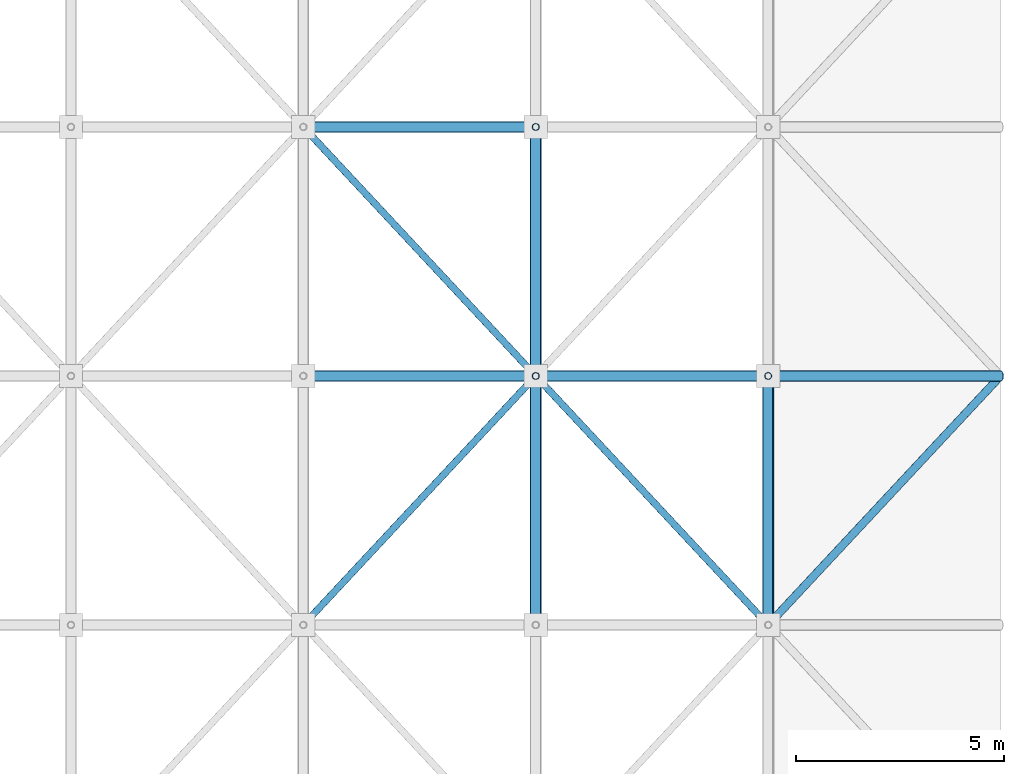
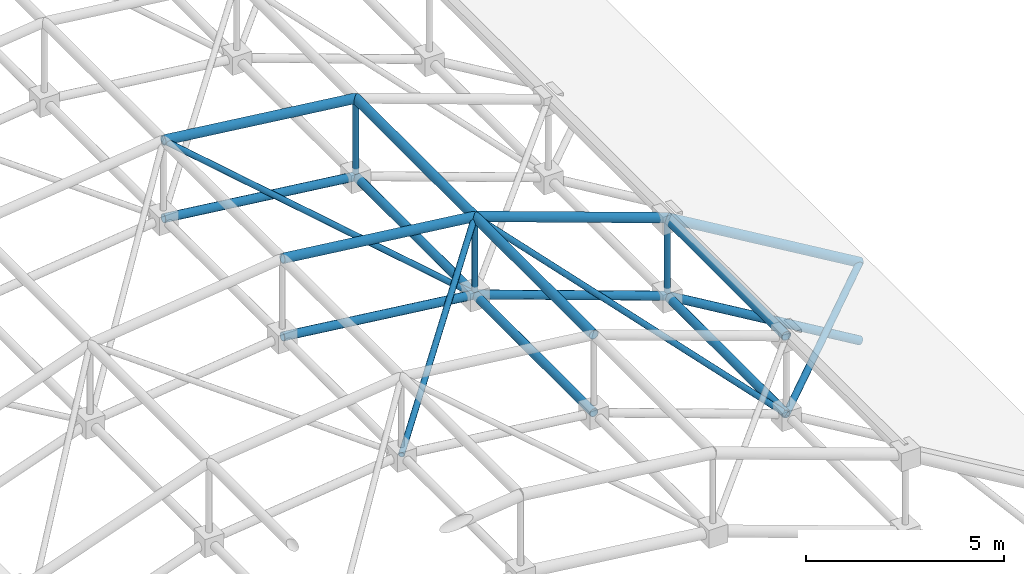
# One storey, part 89 of 140: 21 members.
"""IFC4 building model written with IfcOpenShell, lengths in metres."""

from ifc_helpers import new_model, si_unit, direction, frame, origin, origin_2d, place, context, subcontext, project, spatial, hollow_circle, extrude, material, material_profile, profile_set, type_object, element, save


model = new_model("IFC4")

# Units and contexts
model_context = context("Model", 3, precision=1e-05, world=origin(), true_north=direction((0.0, 1.0)))
body_context = subcontext(model_context, "Body", "Model", "MODEL_VIEW")
ifc_project = project(units=[si_unit("LENGTHUNIT", "METRE"), si_unit("AREAUNIT", "SQUARE_METRE"), si_unit("VOLUMEUNIT", "CUBIC_METRE"), si_unit("PLANEANGLEUNIT", "RADIAN"), si_unit("MASSUNIT", "GRAM", prefix="KILO")], contexts=[model_context])

# Site, building, storey
site_placement = place(None, origin())
site = spatial("IfcSite", under=ifc_project, at=site_placement, CompositionType="ELEMENT")
building_placement = place(site_placement, origin())
building = spatial("IfcBuilding", under=site, at=building_placement, Name="Trelvath General Hospital", CompositionType="ELEMENT")
storey_placement = place(building_placement, frame((0.0, 0.0, 16.199951171875)))
storey = spatial("IfcBuildingStorey", under=building, at=storey_placement, Name="L04", CompositionType="ELEMENT", Elevation=16.199951171875)

# Members
ifc_material_1 = material(Name="Steel S355", Category="steel")
ifc_material_profile_1 = material_profile(ifc_material_1, hollow_circle(Radius=0.122314453125, WallThickness=0.010009765625, at=origin_2d()), Name="CHS244.5x10.0")
ifc_profile_set_1 = profile_set([ifc_material_profile_1], Name="Steel S355")
member_type_1 = type_object("IfcMemberType", Name="SpaceFrameBottomChord CHS244", PredefinedType="CHORD", material=ifc_profile_set_1)
for number, where, z_axis, x_axis, name in (
    (1, (159.60009765625, 37.199951171875, 2.699951171875), (0.992991298752, 0.0, -0.118187480734), (0.0, 1.0, 0.0), "Space Frame Bottom Chord X 4-3"),
    (2, (159.60009765625, 43.199951171875, 2.699951171875), (0.992991298752, 0.0, -0.118187480734), (0.0, 1.0, 0.0), "Space Frame Bottom Chord X 4-4"),
):
    element("IfcMember", number, at=place(storey_placement, frame(where, z_axis=z_axis, x_axis=x_axis)), inside=storey, type_object=member_type_1, Name=name, PredefinedType="CHORD", context=body_context, shape_type="SweptSolid", body=[
        extrude(hollow_circle(Radius=0.122314453125, WallThickness=0.010009765625, at=origin_2d()), origin(), (0.0, 0.0, 1.0), 5.639404296875),
    ])
member_1_placement = place(storey_placement, frame((165.199951171875, 31.199951171875, 2.033447265625), z_axis=(0.0, 1.0, 0.0), x_axis=(-1.0, 0.0, 0.0)))
element("IfcMember", 3, at=member_1_placement, inside=storey, type_object=member_type_1, Name="Space Frame Bottom Chord Y 5-2", PredefinedType="CHORD", context=body_context, shape_type="SweptSolid", body=[
    extrude(hollow_circle(Radius=0.122314453125, WallThickness=0.010009765625, at=origin_2d()), origin(), (0.0, 0.0, 1.0), 6.0),
])
member_2_placement = place(storey_placement, frame((165.199951171875, 37.199951171875, 2.033447265625), z_axis=(0.94174376932, 0.0, -0.336331195321), x_axis=(0.0, 1.0, 0.0)))
element("IfcMember", 4, at=member_2_placement, inside=storey, type_object=member_type_1, Name="Space Frame Bottom Chord X 5-3", PredefinedType="CHORD", context=body_context, shape_type="SweptSolid", body=[
    extrude(hollow_circle(Radius=0.122314453125, WallThickness=0.010009765625, at=origin_2d()), origin(), (0.0, 0.0, 1.0), 5.946533203125),
])
for number, where, z_axis, x_axis, name in (
    (5, (165.199951171875, 37.199951171875, 2.033447265625), (0.0, 1.0, 0.0), (-1.0, 0.0, 0.0), "Space Frame Bottom Chord Y 5-3"),
    (6, (170.800048828125, 31.199951171875, 0.033447265625), (0.0, 1.0, 0.0), (-1.0, 0.0, 0.0), "Space Frame Bottom Chord Y 6-2"),
):
    element("IfcMember", number, at=place(storey_placement, frame(where, z_axis=z_axis, x_axis=x_axis)), inside=storey, type_object=member_type_1, Name=name, PredefinedType="CHORD", context=body_context, shape_type="SweptSolid", body=[
        extrude(hollow_circle(Radius=0.122314453125, WallThickness=0.010009765625, at=origin_2d()), origin(), (0.0, 0.0, 1.0), 6.0),
    ])
member_3_placement = place(storey_placement, frame((170.800048828125, 37.199951171875, 0.033447265625), z_axis=(0.859276026628, 0.0, -0.511512179779), x_axis=(0.0, 1.0, 0.0)))
element("IfcMember", 7, at=member_3_placement, inside=storey, type_object=member_type_1, Name="Space Frame Bottom Chord X 6-3", PredefinedType="CHORD", context=body_context, shape_type="SweptSolid", body=[
    extrude(hollow_circle(Radius=0.122314453125, WallThickness=0.010009765625, at=origin_2d()), origin(), (0.0, 0.0, 1.0), 6.516845703125),
])
ifc_material_2 = material(Name="Steel S355", Category="steel")
ifc_material_profile_2 = material_profile(ifc_material_2, hollow_circle(Radius=0.096923828125, WallThickness=0.008056640625, at=origin_2d()), Name="CHS193.7x8.0")
ifc_profile_set_2 = profile_set([ifc_material_profile_2], Name="Steel S355")
member_type_2 = type_object("IfcMemberType", Name="SpaceFrameDiagHeavy CHS193", PredefinedType="BRACE", material=ifc_profile_set_2)
member_4_placement = place(storey_placement, frame((170.800048828125, 31.199951171875, 0.033447265625), z_axis=(0.677938923544, 0.726382133017, -0.112994746685), x_axis=(-0.731064171106, 0.682308711453, 0.0)))
element("IfcMember", 8, at=member_4_placement, inside=storey, type_object=member_type_2, Name="Space Frame Web Diagonal A 6-2", PredefinedType="BRACE", context=body_context, shape_type="SweptSolid", body=[
    extrude(hollow_circle(Radius=0.096923828125, WallThickness=0.008056640625, at=origin_2d()), origin(), (0.0, 0.0, 1.0), 8.260009765625),
])
ifc_material_3 = material(Name="Steel S355", Category="steel")
ifc_material_profile_3 = material_profile(ifc_material_3, hollow_circle(Radius=0.084228515625, WallThickness=0.008056640625, at=origin_2d()), Name="CHS168.3x8.0")
ifc_profile_set_3 = profile_set([ifc_material_profile_3], Name="Steel S355")
member_type_3 = type_object("IfcMemberType", Name="SpaceFrameDiagStd CHS168", PredefinedType="BRACE", material=ifc_profile_set_3)
member_5_placement = place(storey_placement, frame((159.60009765625, 31.199951171875, 2.699951171875), z_axis=(0.667581666854, 0.715284781994, 0.206645587246), x_axis=(-0.731064171106, 0.682308711453, 0.0)))
element("IfcMember", 9, at=member_5_placement, inside=storey, type_object=member_type_3, Name="Space Frame Web Diagonal A 4-2", PredefinedType="BRACE", context=body_context, shape_type="SweptSolid", body=[
    extrude(hollow_circle(Radius=0.084228515625, WallThickness=0.008056640625, at=origin_2d()), origin(), (0.0, 0.0, 1.0), 8.38818359375),
])
member_6_placement = place(storey_placement, frame((165.199951171875, 37.199951171875, 2.033447265625), z_axis=(-0.639148147201, 0.684819499743, 0.350016997732), x_axis=(-0.731064171106, -0.682308711453, 0.0)))
element("IfcMember", 10, at=member_6_placement, inside=storey, type_object=member_type_3, Name="Space Frame Web Diagonal B 4-3", PredefinedType="BRACE", context=body_context, shape_type="SweptSolid", body=[
    extrude(hollow_circle(Radius=0.084228515625, WallThickness=0.008056640625, at=origin_2d()), origin(), (0.0, 0.0, 1.0), 8.761474609375),
])
member_7_placement = place(storey_placement, frame((170.800048828125, 31.199951171875, 0.033447265625), z_axis=(-0.601361165456, 0.644304298642, 0.472479332281), x_axis=(-0.731049333052, -0.682324609438, 0.0)))
element("IfcMember", 11, at=member_7_placement, inside=storey, type_object=member_type_3, Name="Space Frame Web Diagonal B 5-2", PredefinedType="BRACE", context=body_context, shape_type="SweptSolid", body=[
    extrude(hollow_circle(Radius=0.084228515625, WallThickness=0.008056640625, at=origin_2d()), origin(), (0.0, 0.0, 1.0), 9.312255859375),
])
for number, where, z_axis, x_axis, name in (
    (12, (165.199951171875, 37.199951171875, 2.033447265625), (0.0, 0.0, 1.0), (1.0, 0.0, 0.0), "Space Frame Web Post 5-3"),
    (13, (165.199951171875, 43.199951171875, 2.033447265625), (0.0, 0.0, 1.0), (1.0, 0.0, 0.0), "Space Frame Web Post 5-4"),
    (14, (170.800048828125, 37.199951171875, 0.033447265625), (0.0, 0.0, 1.0), (1.0, 0.0, 0.0), "Space Frame Web Post 6-3"),
):
    element("IfcMember", number, at=place(storey_placement, frame(where, z_axis=z_axis, x_axis=x_axis)), inside=storey, type_object=member_type_3, Name=name, PredefinedType="BRACE", context=body_context, shape_type="SweptSolid", body=[
        extrude(hollow_circle(Radius=0.084228515625, WallThickness=0.008056640625, at=origin_2d()), origin(), (0.0, 0.0, 1.0), 2.39990234375),
    ])
ifc_material_4 = material(Name="Steel S355", Category="steel")
ifc_material_profile_4 = material_profile(ifc_material_4, hollow_circle(Radius=0.136474609375, WallThickness=0.012451171875, at=origin_2d()), Name="CHS273.0x12.5")
ifc_profile_set_4 = profile_set([ifc_material_profile_4], Name="Steel S355")
member_type_4 = type_object("IfcMemberType", Name="SpaceFrameTopChord CHS273", PredefinedType="CHORD", material=ifc_profile_set_4)
for number, where, z_axis, x_axis, name in (
    (15, (159.60009765625, 37.199951171875, 5.10009765625), (0.992986217135, 0.0, -0.118230167807), (0.0, 1.0, 0.0), "Space Frame Top Chord X 4-3"),
    (16, (159.60009765625, 43.199951171875, 5.10009765625), (0.992986217135, 0.0, -0.118230167807), (0.0, 1.0, 0.0), "Space Frame Top Chord X 4-4"),
):
    element("IfcMember", number, at=place(storey_placement, frame(where, z_axis=z_axis, x_axis=x_axis)), inside=storey, type_object=member_type_4, Name=name, PredefinedType="CHORD", context=body_context, shape_type="SweptSolid", body=[
        extrude(hollow_circle(Radius=0.136474609375, WallThickness=0.012451171875, at=origin_2d()), origin(), (0.0, 0.0, 1.0), 5.639404296875),
    ])
member_8_placement = place(storey_placement, frame((165.199951171875, 31.199951171875, 4.433349609375), z_axis=(0.0, 1.0, 0.0), x_axis=(-1.0, 0.0, 0.0)))
element("IfcMember", 17, at=member_8_placement, inside=storey, type_object=member_type_4, Name="Space Frame Top Chord Y 5-2", PredefinedType="CHORD", context=body_context, shape_type="SweptSolid", body=[
    extrude(hollow_circle(Radius=0.136474609375, WallThickness=0.012451171875, at=origin_2d()), origin(), (0.0, 0.0, 1.0), 6.0),
])
member_9_placement = place(storey_placement, frame((165.199951171875, 37.199951171875, 4.433349609375), z_axis=(0.94174376932, 0.0, -0.336331195321), x_axis=(0.0, 1.0, 0.0)))
element("IfcMember", 18, at=member_9_placement, inside=storey, type_object=member_type_4, Name="Space Frame Top Chord X 5-3", PredefinedType="CHORD", context=body_context, shape_type="SweptSolid", body=[
    extrude(hollow_circle(Radius=0.136474609375, WallThickness=0.012451171875, at=origin_2d()), origin(), (0.0, 0.0, 1.0), 5.946533203125),
])
for number, where, z_axis, x_axis, name in (
    (19, (165.199951171875, 37.199951171875, 4.433349609375), (0.0, 1.0, 0.0), (-1.0, 0.0, 0.0), "Space Frame Top Chord Y 5-3"),
    (20, (170.800048828125, 31.199951171875, 2.433349609375), (0.0, 1.0, 0.0), (-1.0, 0.0, 0.0), "Space Frame Top Chord Y 6-2"),
):
    element("IfcMember", number, at=place(storey_placement, frame(where, z_axis=z_axis, x_axis=x_axis)), inside=storey, type_object=member_type_4, Name=name, PredefinedType="CHORD", context=body_context, shape_type="SweptSolid", body=[
        extrude(hollow_circle(Radius=0.136474609375, WallThickness=0.012451171875, at=origin_2d()), origin(), (0.0, 0.0, 1.0), 6.0),
    ])
member_10_placement = place(storey_placement, frame((170.800048828125, 37.199951171875, 2.433349609375), z_axis=(0.859292492371, 0.0, -0.511484518392), x_axis=(0.0, 1.0, 0.0)))
element("IfcMember", 21, at=member_10_placement, inside=storey, type_object=member_type_4, Name="Space Frame Top Chord X 6-3", PredefinedType="CHORD", context=body_context, shape_type="SweptSolid", body=[
    extrude(hollow_circle(Radius=0.136474609375, WallThickness=0.012451171875, at=origin_2d()), origin(), (0.0, 0.0, 1.0), 6.516845703125),
])

save(model, "model.ifc")
